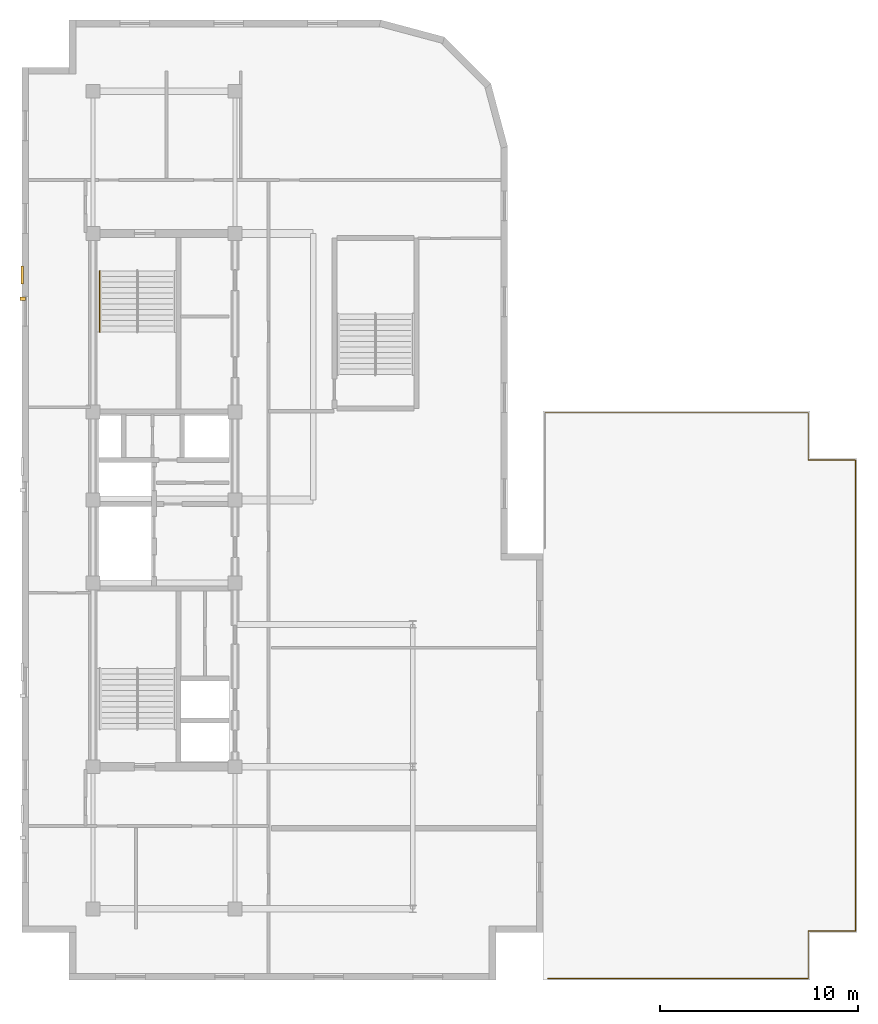
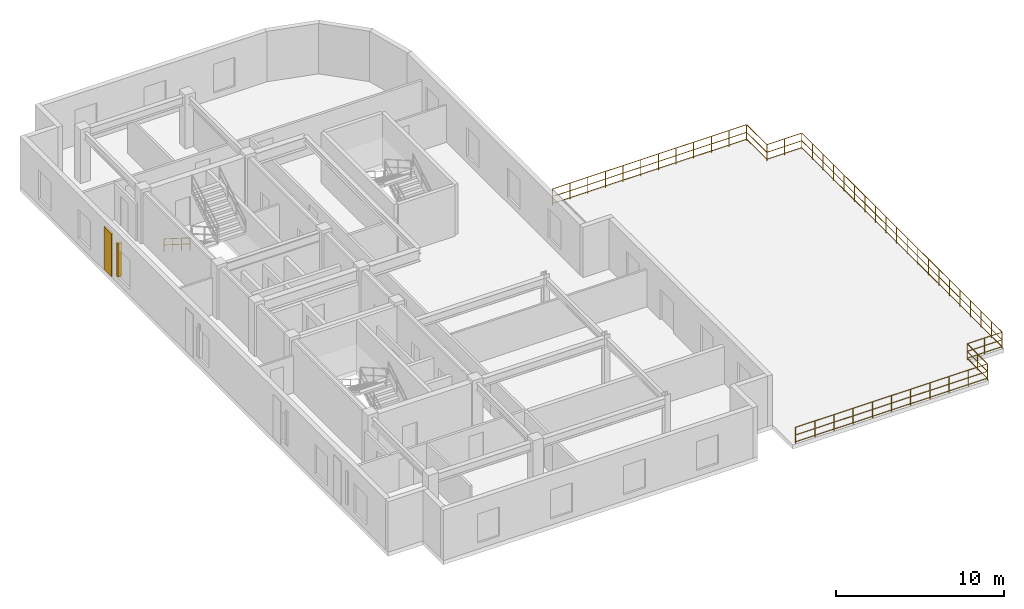
# One storey, part 6 of 7: 8 railings, 1 covering, 1 shading device.
"""IFC4 building model written with IfcOpenShell, lengths in metres."""

from ifc_helpers import new_model, entity, si_unit, converted_unit, direction, frame, origin_with_axes, origin_2d_with_axis, place, context, subcontext, project, spatial, rectangle, circle, extrude, material, layer, layer_set, type_object, element, save


model = new_model("IFC4")

# Units and contexts
model_context = context("Model", 3, precision=1e-05, world=origin_with_axes(), true_north=direction((0.0, 1.0)))
body_context = subcontext(model_context, "Body", "Model", "MODEL_VIEW")
ifc_project = project(units=[si_unit("LENGTHUNIT", "METRE"), si_unit("AREAUNIT", "SQUARE_METRE"), si_unit("VOLUMEUNIT", "CUBIC_METRE"), converted_unit("PLANEANGLEUNIT", "DEGREE", entity("IfcPlaneAngleMeasure", 0.017453292519943295), si_unit("PLANEANGLEUNIT", "RADIAN"), dimensions=[0, 0, 0, 0, 0, 0, 0]), si_unit("MASSUNIT", "GRAM", prefix="KILO"), si_unit("THERMODYNAMICTEMPERATUREUNIT", "KELVIN")], contexts=[model_context])

# Site, building, storey
site_placement = place(None, origin_with_axes())
site = spatial("IfcSite", under=ifc_project, at=site_placement, CompositionType="ELEMENT")
building_placement = place(site_placement, origin_with_axes())
building = spatial("IfcBuilding", under=site, at=building_placement, Name="Varnlund Millrace Tower", CompositionType="ELEMENT")
storey_placement = place(building_placement, frame((0.0, 0.0, 288.0), z_axis=(0.0, 0.0, 1.0), x_axis=(1.0, 0.0, 0.0)))
storey = spatial("IfcBuildingStorey", under=building, at=storey_placement, Name="L71", CompositionType="ELEMENT", Elevation=288.0)

# Covering
ifc_material_1 = material(Name="Precast concrete C50/60", Category="concrete")
ifc_layer = layer(ifc_material_1, 0.11, Name="Precast concrete C50/60")
ifc_layer_set = layer_set([ifc_layer], Name="Precast concrete C50/60")
covering_type = type_object("IfcCoveringType", Name="Type-Cladding-KasotaPier-110", PredefinedType="CLADDING", material=ifc_layer_set)
covering_placement = place(storey_placement, frame((7.82, 35.7, 0.1), z_axis=(0.0, 0.0, 1.0), x_axis=(1.0, 0.0, 0.0)))
element("IfcCovering", 1, at=covering_placement, inside=storey, type_object=covering_type, Name="Type-Cladding-KasotaPier-110", PredefinedType="CLADDING", context=body_context, shape_type="SweptSolid", body=[
    extrude(rectangle(XDim=0.11, YDim=0.9, at=origin_2d_with_axis()), origin_with_axes(), (0.0, 0.0, 1.0), 3.1),
])

# Railings
ifc_material_2 = material(Name="Architectural bronze balustrade guard", Category="aluminium")
railing_type_1 = type_object("IfcRailingType", Name="Type-Guard-Perimeter-1150", PredefinedType="BALUSTRADE", material=ifc_material_2)
railing_1_placement = place(storey_placement, frame((0.0, 0.0, -288.0), z_axis=(0.0, 0.0, 1.0), x_axis=(1.0, 0.0, 0.0)))
element("IfcRailing", 2, at=railing_1_placement, inside=storey, type_object=railing_type_1, Name="Type-Guard-Perimeter-1150", PredefinedType="BALUSTRADE", context=body_context, shape_type="SweptSolid", body=[
    extrude(circle(Radius=0.024, at=origin_2d_with_axis()), frame((34.45, 0.08, 289.15), z_axis=(1.0, 0.0, 0.0), x_axis=(0.0, 1.0, 0.0)), (0.0, 0.0, 1.0), 13.17),
    extrude(circle(Radius=0.024, at=origin_2d_with_axis()), frame((34.45, 0.08, 288.1), z_axis=(1.0, 0.0, 0.0), x_axis=(0.0, 1.0, 0.0)), (0.0, 0.0, 1.0), 13.17),
    extrude(circle(Radius=0.024, at=origin_2d_with_axis()), frame((34.45, 0.08, 288.598), z_axis=(1.0, 0.0, 0.0), x_axis=(0.0, 1.0, 0.0)), (0.0, 0.0, 1.0), 13.17),
    extrude(rectangle(XDim=0.04, YDim=0.04, at=origin_2d_with_axis()), frame((34.45, 0.08, 287.96), z_axis=(0.0, 0.0, 1.0), x_axis=(1.0, 0.0, 0.0)), (0.0, 0.0, 1.0), 1.19),
    extrude(rectangle(XDim=0.04, YDim=0.04, at=origin_2d_with_axis()), frame((35.767, 0.08, 287.96), z_axis=(0.0, 0.0, 1.0), x_axis=(1.0, 0.0, 0.0)), (0.0, 0.0, 1.0), 1.19),
    extrude(rectangle(XDim=0.04, YDim=0.04, at=origin_2d_with_axis()), frame((37.084, 0.08, 287.96), z_axis=(0.0, 0.0, 1.0), x_axis=(1.0, 0.0, 0.0)), (0.0, 0.0, 1.0), 1.19),
    extrude(rectangle(XDim=0.04, YDim=0.04, at=origin_2d_with_axis()), frame((38.401, 0.08, 287.96), z_axis=(0.0, 0.0, 1.0), x_axis=(1.0, 0.0, 0.0)), (0.0, 0.0, 1.0), 1.19),
    extrude(rectangle(XDim=0.04, YDim=0.04, at=origin_2d_with_axis()), frame((39.718, 0.08, 287.96), z_axis=(0.0, 0.0, 1.0), x_axis=(1.0, 0.0, 0.0)), (0.0, 0.0, 1.0), 1.19),
    extrude(rectangle(XDim=0.04, YDim=0.04, at=origin_2d_with_axis()), frame((41.035, 0.08, 287.96), z_axis=(0.0, 0.0, 1.0), x_axis=(1.0, 0.0, 0.0)), (0.0, 0.0, 1.0), 1.19),
    extrude(rectangle(XDim=0.04, YDim=0.04, at=origin_2d_with_axis()), frame((42.352, 0.08, 287.96), z_axis=(0.0, 0.0, 1.0), x_axis=(1.0, 0.0, 0.0)), (0.0, 0.0, 1.0), 1.19),
    extrude(rectangle(XDim=0.04, YDim=0.04, at=origin_2d_with_axis()), frame((43.669, 0.08, 287.96), z_axis=(0.0, 0.0, 1.0), x_axis=(1.0, 0.0, 0.0)), (0.0, 0.0, 1.0), 1.19),
    extrude(rectangle(XDim=0.04, YDim=0.04, at=origin_2d_with_axis()), frame((44.986, 0.08, 287.96), z_axis=(0.0, 0.0, 1.0), x_axis=(1.0, 0.0, 0.0)), (0.0, 0.0, 1.0), 1.19),
    extrude(rectangle(XDim=0.04, YDim=0.04, at=origin_2d_with_axis()), frame((46.303, 0.08, 287.96), z_axis=(0.0, 0.0, 1.0), x_axis=(1.0, 0.0, 0.0)), (0.0, 0.0, 1.0), 1.19),
    extrude(rectangle(XDim=0.04, YDim=0.04, at=origin_2d_with_axis()), frame((47.62, 0.08, 287.96), z_axis=(0.0, 0.0, 1.0), x_axis=(1.0, 0.0, 0.0)), (0.0, 0.0, 1.0), 1.19),
])
railing_2_placement = place(storey_placement, frame((0.0, 0.0, -288.0), z_axis=(0.0, 0.0, 1.0), x_axis=(1.0, 0.0, 0.0)))
element("IfcRailing", 3, at=railing_2_placement, inside=storey, type_object=railing_type_1, Name="Type-Guard-Perimeter-1150", PredefinedType="BALUSTRADE", context=body_context, shape_type="SweptSolid", body=[
    extrude(circle(Radius=0.024, at=origin_2d_with_axis()), frame((47.62, 0.08, 289.15), z_axis=(0.0, 1.0, 0.0), x_axis=(-1.0, 0.0, 0.0)), (0.0, 0.0, 1.0), 2.4),
    extrude(circle(Radius=0.024, at=origin_2d_with_axis()), frame((47.62, 0.08, 288.1), z_axis=(0.0, 1.0, 0.0), x_axis=(-1.0, 0.0, 0.0)), (0.0, 0.0, 1.0), 2.4),
    extrude(circle(Radius=0.024, at=origin_2d_with_axis()), frame((47.62, 0.08, 288.598), z_axis=(0.0, 1.0, 0.0), x_axis=(-1.0, 0.0, 0.0)), (0.0, 0.0, 1.0), 2.4),
    extrude(rectangle(XDim=0.04, YDim=0.04, at=origin_2d_with_axis()), frame((47.62, 0.08, 287.96), z_axis=(0.0, 0.0, 1.0), x_axis=(1.0, 0.0, 0.0)), (0.0, 0.0, 1.0), 1.19),
    extrude(rectangle(XDim=0.04, YDim=0.04, at=origin_2d_with_axis()), frame((47.62, 1.28, 287.96), z_axis=(0.0, 0.0, 1.0), x_axis=(1.0, 0.0, 0.0)), (0.0, 0.0, 1.0), 1.19),
    extrude(rectangle(XDim=0.04, YDim=0.04, at=origin_2d_with_axis()), frame((47.62, 2.48, 287.96), z_axis=(0.0, 0.0, 1.0), x_axis=(1.0, 0.0, 0.0)), (0.0, 0.0, 1.0), 1.19),
])
railing_3_placement = place(storey_placement, frame((0.0, 0.0, -288.0), z_axis=(0.0, 0.0, 1.0), x_axis=(1.0, 0.0, 0.0)))
element("IfcRailing", 4, at=railing_3_placement, inside=storey, type_object=railing_type_1, Name="Type-Guard-Perimeter-1150", PredefinedType="BALUSTRADE", context=body_context, shape_type="SweptSolid", body=[
    extrude(circle(Radius=0.024, at=origin_2d_with_axis()), frame((47.62, 2.48, 289.15), z_axis=(1.0, 0.0, 0.0), x_axis=(0.0, 1.0, 0.0)), (0.0, 0.0, 1.0), 2.4),
    extrude(circle(Radius=0.024, at=origin_2d_with_axis()), frame((47.62, 2.48, 288.1), z_axis=(1.0, 0.0, 0.0), x_axis=(0.0, 1.0, 0.0)), (0.0, 0.0, 1.0), 2.4),
    extrude(circle(Radius=0.024, at=origin_2d_with_axis()), frame((47.62, 2.48, 288.598), z_axis=(1.0, 0.0, 0.0), x_axis=(0.0, 1.0, 0.0)), (0.0, 0.0, 1.0), 2.4),
    extrude(rectangle(XDim=0.04, YDim=0.04, at=origin_2d_with_axis()), frame((47.62, 2.48, 287.96), z_axis=(0.0, 0.0, 1.0), x_axis=(1.0, 0.0, 0.0)), (0.0, 0.0, 1.0), 1.19),
    extrude(rectangle(XDim=0.04, YDim=0.04, at=origin_2d_with_axis()), frame((48.82, 2.48, 287.96), z_axis=(0.0, 0.0, 1.0), x_axis=(1.0, 0.0, 0.0)), (0.0, 0.0, 1.0), 1.19),
    extrude(rectangle(XDim=0.04, YDim=0.04, at=origin_2d_with_axis()), frame((50.02, 2.48, 287.96), z_axis=(0.0, 0.0, 1.0), x_axis=(1.0, 0.0, 0.0)), (0.0, 0.0, 1.0), 1.19),
])
railing_4_placement = place(storey_placement, frame((0.0, 0.0, -288.0), z_axis=(0.0, 0.0, 1.0), x_axis=(1.0, 0.0, 0.0)))
element("IfcRailing", 5, at=railing_4_placement, inside=storey, type_object=railing_type_1, Name="Type-Guard-Perimeter-1150", PredefinedType="BALUSTRADE", context=body_context, shape_type="SweptSolid", body=[
    extrude(circle(Radius=0.024, at=origin_2d_with_axis()), frame((50.02, 2.48, 289.15), z_axis=(0.0, 1.0, 0.0), x_axis=(-1.0, 0.0, 0.0)), (0.0, 0.0, 1.0), 23.84),
    extrude(circle(Radius=0.024, at=origin_2d_with_axis()), frame((50.02, 2.48, 288.1), z_axis=(0.0, 1.0, 0.0), x_axis=(-1.0, 0.0, 0.0)), (0.0, 0.0, 1.0), 23.84),
    extrude(circle(Radius=0.024, at=origin_2d_with_axis()), frame((50.02, 2.48, 288.598), z_axis=(0.0, 1.0, 0.0), x_axis=(-1.0, 0.0, 0.0)), (0.0, 0.0, 1.0), 23.84),
    extrude(rectangle(XDim=0.04, YDim=0.04, at=origin_2d_with_axis()), frame((50.02, 2.48, 287.96), z_axis=(0.0, 0.0, 1.0), x_axis=(1.0, 0.0, 0.0)), (0.0, 0.0, 1.0), 1.19),
    extrude(rectangle(XDim=0.04, YDim=0.04, at=origin_2d_with_axis()), frame((50.02, 3.734737, 287.96), z_axis=(0.0, 0.0, 1.0), x_axis=(1.0, 0.0, 0.0)), (0.0, 0.0, 1.0), 1.19),
    extrude(rectangle(XDim=0.04, YDim=0.04, at=origin_2d_with_axis()), frame((50.02, 4.989474, 287.96), z_axis=(0.0, 0.0, 1.0), x_axis=(1.0, 0.0, 0.0)), (0.0, 0.0, 1.0), 1.19),
    extrude(rectangle(XDim=0.04, YDim=0.04, at=origin_2d_with_axis()), frame((50.02, 6.244211, 287.96), z_axis=(0.0, 0.0, 1.0), x_axis=(1.0, 0.0, 0.0)), (0.0, 0.0, 1.0), 1.19),
    extrude(rectangle(XDim=0.04, YDim=0.04, at=origin_2d_with_axis()), frame((50.02, 7.498947, 287.96), z_axis=(0.0, 0.0, 1.0), x_axis=(1.0, 0.0, 0.0)), (0.0, 0.0, 1.0), 1.19),
    extrude(rectangle(XDim=0.04, YDim=0.04, at=origin_2d_with_axis()), frame((50.02, 8.753684, 287.96), z_axis=(0.0, 0.0, 1.0), x_axis=(1.0, 0.0, 0.0)), (0.0, 0.0, 1.0), 1.19),
    extrude(rectangle(XDim=0.04, YDim=0.04, at=origin_2d_with_axis()), frame((50.02, 10.008421, 287.96), z_axis=(0.0, 0.0, 1.0), x_axis=(1.0, 0.0, 0.0)), (0.0, 0.0, 1.0), 1.19),
    extrude(rectangle(XDim=0.04, YDim=0.04, at=origin_2d_with_axis()), frame((50.02, 11.263158, 287.96), z_axis=(0.0, 0.0, 1.0), x_axis=(1.0, 0.0, 0.0)), (0.0, 0.0, 1.0), 1.19),
    extrude(rectangle(XDim=0.04, YDim=0.04, at=origin_2d_with_axis()), frame((50.02, 12.517895, 287.96), z_axis=(0.0, 0.0, 1.0), x_axis=(1.0, 0.0, 0.0)), (0.0, 0.0, 1.0), 1.19),
    extrude(rectangle(XDim=0.04, YDim=0.04, at=origin_2d_with_axis()), frame((50.02, 13.772632, 287.96), z_axis=(0.0, 0.0, 1.0), x_axis=(1.0, 0.0, 0.0)), (0.0, 0.0, 1.0), 1.19),
    extrude(rectangle(XDim=0.04, YDim=0.04, at=origin_2d_with_axis()), frame((50.02, 15.027368, 287.96), z_axis=(0.0, 0.0, 1.0), x_axis=(1.0, 0.0, 0.0)), (0.0, 0.0, 1.0), 1.19),
    extrude(rectangle(XDim=0.04, YDim=0.04, at=origin_2d_with_axis()), frame((50.02, 16.282105, 287.96), z_axis=(0.0, 0.0, 1.0), x_axis=(1.0, 0.0, 0.0)), (0.0, 0.0, 1.0), 1.19),
    extrude(rectangle(XDim=0.04, YDim=0.04, at=origin_2d_with_axis()), frame((50.02, 17.536842, 287.96), z_axis=(0.0, 0.0, 1.0), x_axis=(1.0, 0.0, 0.0)), (0.0, 0.0, 1.0), 1.19),
    extrude(rectangle(XDim=0.04, YDim=0.04, at=origin_2d_with_axis()), frame((50.02, 18.791579, 287.96), z_axis=(0.0, 0.0, 1.0), x_axis=(1.0, 0.0, 0.0)), (0.0, 0.0, 1.0), 1.19),
    extrude(rectangle(XDim=0.04, YDim=0.04, at=origin_2d_with_axis()), frame((50.02, 20.046316, 287.96), z_axis=(0.0, 0.0, 1.0), x_axis=(1.0, 0.0, 0.0)), (0.0, 0.0, 1.0), 1.19),
    extrude(rectangle(XDim=0.04, YDim=0.04, at=origin_2d_with_axis()), frame((50.02, 21.301053, 287.96), z_axis=(0.0, 0.0, 1.0), x_axis=(1.0, 0.0, 0.0)), (0.0, 0.0, 1.0), 1.19),
    extrude(rectangle(XDim=0.04, YDim=0.04, at=origin_2d_with_axis()), frame((50.02, 22.555789, 287.96), z_axis=(0.0, 0.0, 1.0), x_axis=(1.0, 0.0, 0.0)), (0.0, 0.0, 1.0), 1.19),
    extrude(rectangle(XDim=0.04, YDim=0.04, at=origin_2d_with_axis()), frame((50.02, 23.810526, 287.96), z_axis=(0.0, 0.0, 1.0), x_axis=(1.0, 0.0, 0.0)), (0.0, 0.0, 1.0), 1.19),
    extrude(rectangle(XDim=0.04, YDim=0.04, at=origin_2d_with_axis()), frame((50.02, 25.065263, 287.96), z_axis=(0.0, 0.0, 1.0), x_axis=(1.0, 0.0, 0.0)), (0.0, 0.0, 1.0), 1.19),
    extrude(rectangle(XDim=0.04, YDim=0.04, at=origin_2d_with_axis()), frame((50.02, 26.32, 287.96), z_axis=(0.0, 0.0, 1.0), x_axis=(1.0, 0.0, 0.0)), (0.0, 0.0, 1.0), 1.19),
])
railing_5_placement = place(storey_placement, frame((0.0, 0.0, -288.0), z_axis=(0.0, 0.0, 1.0), x_axis=(1.0, 0.0, 0.0)))
element("IfcRailing", 6, at=railing_5_placement, inside=storey, type_object=railing_type_1, Name="Type-Guard-Perimeter-1150", PredefinedType="BALUSTRADE", context=body_context, shape_type="SweptSolid", body=[
    extrude(circle(Radius=0.024, at=origin_2d_with_axis()), frame((50.02, 26.32, 289.15), z_axis=(-1.0, 0.0, 0.0), x_axis=(0.0, -1.0, 0.0)), (0.0, 0.0, 1.0), 2.4),
    extrude(circle(Radius=0.024, at=origin_2d_with_axis()), frame((50.02, 26.32, 288.1), z_axis=(-1.0, 0.0, 0.0), x_axis=(0.0, -1.0, 0.0)), (0.0, 0.0, 1.0), 2.4),
    extrude(circle(Radius=0.024, at=origin_2d_with_axis()), frame((50.02, 26.32, 288.598), z_axis=(-1.0, 0.0, 0.0), x_axis=(0.0, -1.0, 0.0)), (0.0, 0.0, 1.0), 2.4),
    extrude(rectangle(XDim=0.04, YDim=0.04, at=origin_2d_with_axis()), frame((50.02, 26.32, 287.96), z_axis=(0.0, 0.0, 1.0), x_axis=(1.0, 0.0, 0.0)), (0.0, 0.0, 1.0), 1.19),
    extrude(rectangle(XDim=0.04, YDim=0.04, at=origin_2d_with_axis()), frame((48.82, 26.32, 287.96), z_axis=(0.0, 0.0, 1.0), x_axis=(1.0, 0.0, 0.0)), (0.0, 0.0, 1.0), 1.19),
    extrude(rectangle(XDim=0.04, YDim=0.04, at=origin_2d_with_axis()), frame((47.62, 26.32, 287.96), z_axis=(0.0, 0.0, 1.0), x_axis=(1.0, 0.0, 0.0)), (0.0, 0.0, 1.0), 1.19),
])
railing_6_placement = place(storey_placement, frame((0.0, 0.0, -288.0), z_axis=(0.0, 0.0, 1.0), x_axis=(1.0, 0.0, 0.0)))
element("IfcRailing", 7, at=railing_6_placement, inside=storey, type_object=railing_type_1, Name="Type-Guard-Perimeter-1150", PredefinedType="BALUSTRADE", context=body_context, shape_type="SweptSolid", body=[
    extrude(circle(Radius=0.024, at=origin_2d_with_axis()), frame((47.62, 26.32, 289.15), z_axis=(0.0, 1.0, 0.0), x_axis=(-1.0, 0.0, 0.0)), (0.0, 0.0, 1.0), 2.4),
    extrude(circle(Radius=0.024, at=origin_2d_with_axis()), frame((47.62, 26.32, 288.1), z_axis=(0.0, 1.0, 0.0), x_axis=(-1.0, 0.0, 0.0)), (0.0, 0.0, 1.0), 2.4),
    extrude(circle(Radius=0.024, at=origin_2d_with_axis()), frame((47.62, 26.32, 288.598), z_axis=(0.0, 1.0, 0.0), x_axis=(-1.0, 0.0, 0.0)), (0.0, 0.0, 1.0), 2.4),
    extrude(rectangle(XDim=0.04, YDim=0.04, at=origin_2d_with_axis()), frame((47.62, 26.32, 287.96), z_axis=(0.0, 0.0, 1.0), x_axis=(1.0, 0.0, 0.0)), (0.0, 0.0, 1.0), 1.19),
    extrude(rectangle(XDim=0.04, YDim=0.04, at=origin_2d_with_axis()), frame((47.62, 28.72, 287.96), z_axis=(0.0, 0.0, 1.0), x_axis=(1.0, 0.0, 0.0)), (0.0, 0.0, 1.0), 1.19),
])
railing_7_placement = place(storey_placement, frame((0.0, 0.0, -288.0), z_axis=(0.0, 0.0, 1.0), x_axis=(1.0, 0.0, 0.0)))
element("IfcRailing", 8, at=railing_7_placement, inside=storey, type_object=railing_type_1, Name="Type-Guard-Perimeter-1150", PredefinedType="BALUSTRADE", context=body_context, shape_type="SweptSolid", body=[
    extrude(circle(Radius=0.024, at=origin_2d_with_axis()), frame((47.62, 28.72, 289.15), z_axis=(-1.0, 0.0, 0.0), x_axis=(0.0, -1.0, 0.0)), (0.0, 0.0, 1.0), 13.34),
    extrude(circle(Radius=0.024, at=origin_2d_with_axis()), frame((47.62, 28.72, 288.1), z_axis=(-1.0, 0.0, 0.0), x_axis=(0.0, -1.0, 0.0)), (0.0, 0.0, 1.0), 13.34),
    extrude(circle(Radius=0.024, at=origin_2d_with_axis()), frame((47.62, 28.72, 288.598), z_axis=(-1.0, 0.0, 0.0), x_axis=(0.0, -1.0, 0.0)), (0.0, 0.0, 1.0), 13.34),
    extrude(rectangle(XDim=0.04, YDim=0.04, at=origin_2d_with_axis()), frame((47.62, 28.72, 287.96), z_axis=(0.0, 0.0, 1.0), x_axis=(1.0, 0.0, 0.0)), (0.0, 0.0, 1.0), 1.19),
    extrude(rectangle(XDim=0.04, YDim=0.04, at=origin_2d_with_axis()), frame((46.407273, 28.72, 287.96), z_axis=(0.0, 0.0, 1.0), x_axis=(1.0, 0.0, 0.0)), (0.0, 0.0, 1.0), 1.19),
    extrude(rectangle(XDim=0.04, YDim=0.04, at=origin_2d_with_axis()), frame((45.194545, 28.72, 287.96), z_axis=(0.0, 0.0, 1.0), x_axis=(1.0, 0.0, 0.0)), (0.0, 0.0, 1.0), 1.19),
    extrude(rectangle(XDim=0.04, YDim=0.04, at=origin_2d_with_axis()), frame((43.981818, 28.72, 287.96), z_axis=(0.0, 0.0, 1.0), x_axis=(1.0, 0.0, 0.0)), (0.0, 0.0, 1.0), 1.19),
    extrude(rectangle(XDim=0.04, YDim=0.04, at=origin_2d_with_axis()), frame((42.769091, 28.72, 287.96), z_axis=(0.0, 0.0, 1.0), x_axis=(1.0, 0.0, 0.0)), (0.0, 0.0, 1.0), 1.19),
    extrude(rectangle(XDim=0.04, YDim=0.04, at=origin_2d_with_axis()), frame((41.556364, 28.72, 287.96), z_axis=(0.0, 0.0, 1.0), x_axis=(1.0, 0.0, 0.0)), (0.0, 0.0, 1.0), 1.19),
    extrude(rectangle(XDim=0.04, YDim=0.04, at=origin_2d_with_axis()), frame((40.343636, 28.72, 287.96), z_axis=(0.0, 0.0, 1.0), x_axis=(1.0, 0.0, 0.0)), (0.0, 0.0, 1.0), 1.19),
    extrude(rectangle(XDim=0.04, YDim=0.04, at=origin_2d_with_axis()), frame((39.130909, 28.72, 287.96), z_axis=(0.0, 0.0, 1.0), x_axis=(1.0, 0.0, 0.0)), (0.0, 0.0, 1.0), 1.19),
    extrude(rectangle(XDim=0.04, YDim=0.04, at=origin_2d_with_axis()), frame((37.918182, 28.72, 287.96), z_axis=(0.0, 0.0, 1.0), x_axis=(1.0, 0.0, 0.0)), (0.0, 0.0, 1.0), 1.19),
    extrude(rectangle(XDim=0.04, YDim=0.04, at=origin_2d_with_axis()), frame((36.705455, 28.72, 287.96), z_axis=(0.0, 0.0, 1.0), x_axis=(1.0, 0.0, 0.0)), (0.0, 0.0, 1.0), 1.19),
    extrude(rectangle(XDim=0.04, YDim=0.04, at=origin_2d_with_axis()), frame((35.492727, 28.72, 287.96), z_axis=(0.0, 0.0, 1.0), x_axis=(1.0, 0.0, 0.0)), (0.0, 0.0, 1.0), 1.19),
    extrude(rectangle(XDim=0.04, YDim=0.04, at=origin_2d_with_axis()), frame((34.28, 28.72, 287.96), z_axis=(0.0, 0.0, 1.0), x_axis=(1.0, 0.0, 0.0)), (0.0, 0.0, 1.0), 1.19),
])

# Shading device
ifc_material_3 = material(Name="Architectural bronze fluted spandrel fin", Category="aluminium")
shading_device_type = type_object("IfcShadingDeviceType", Name="Type-Shade-ArtDecoFin", PredefinedType="USERDEFINED", material=ifc_material_3)
shading_device_placement = place(storey_placement, frame((7.85, 34.5, 0.6), z_axis=(0.0, 0.0, 1.0), x_axis=(1.0, 0.0, 0.0)))
element("IfcShadingDevice", 9, at=shading_device_placement, inside=storey, type_object=shading_device_type, Name="Type-Shade-ArtDecoFin", ObjectType="FIN", PredefinedType="USERDEFINED", context=body_context, shape_type="SweptSolid", body=[
    extrude(rectangle(XDim=0.28, YDim=0.18, at=origin_2d_with_axis()), origin_with_axes(), (0.0, 0.0, 1.0), 2.4),
])

# Railing
ifc_material_4 = material(Name="Brushed architectural bronze stair handrail", Category="aluminium")
railing_type_2 = type_object("IfcRailingType", Name="Type-StairHandrail-900", PredefinedType="HANDRAIL", material=ifc_material_4)
railing_8_placement = place(storey_placement, frame((0.0, 0.0, -288.0), z_axis=(0.0, 0.0, 1.0), x_axis=(1.0, 0.0, 0.0)))
element("IfcRailing", 10, at=railing_8_placement, inside=storey, type_object=railing_type_2, Name="Type-StairHandrail-900", PredefinedType="HANDRAIL", context=body_context, shape_type="SweptSolid", body=[
    extrude(circle(Radius=0.024, at=origin_2d_with_axis()), frame((11.75, 35.9, 289.056995), z_axis=(0.0, -0.844902, 0.534922), x_axis=(1.0, 0.0, 0.0)), (0.0, 0.0, 1.0), 3.645394),
    extrude(circle(Radius=0.024, at=origin_2d_with_axis()), frame((11.75, 35.9, 288.617134), z_axis=(0.0, -0.844902, 0.534922), x_axis=(1.0, 0.0, 0.0)), (0.0, 0.0, 1.0), 3.645394),
    extrude(rectangle(XDim=0.04, YDim=0.04, at=origin_2d_with_axis()), frame((11.75, 35.9, 288.137273), z_axis=(0.0, 0.0, 1.0), x_axis=(1.0, 0.0, 0.0)), (0.0, 0.0, 1.0), 0.919722),
    extrude(rectangle(XDim=0.04, YDim=0.04, at=origin_2d_with_axis()), frame((11.75, 34.873333, 288.787273), z_axis=(0.0, 0.0, 1.0), x_axis=(1.0, 0.0, 0.0)), (0.0, 0.0, 1.0), 0.919722),
    extrude(rectangle(XDim=0.04, YDim=0.04, at=origin_2d_with_axis()), frame((11.75, 33.846667, 289.437273), z_axis=(0.0, 0.0, 1.0), x_axis=(1.0, 0.0, 0.0)), (0.0, 0.0, 1.0), 0.919722),
    extrude(rectangle(XDim=0.04, YDim=0.04, at=origin_2d_with_axis()), frame((11.75, 32.82, 290.087273), z_axis=(0.0, 0.0, 1.0), x_axis=(1.0, 0.0, 0.0)), (0.0, 0.0, 1.0), 0.919722),
])

save(model, "model.ifc")
